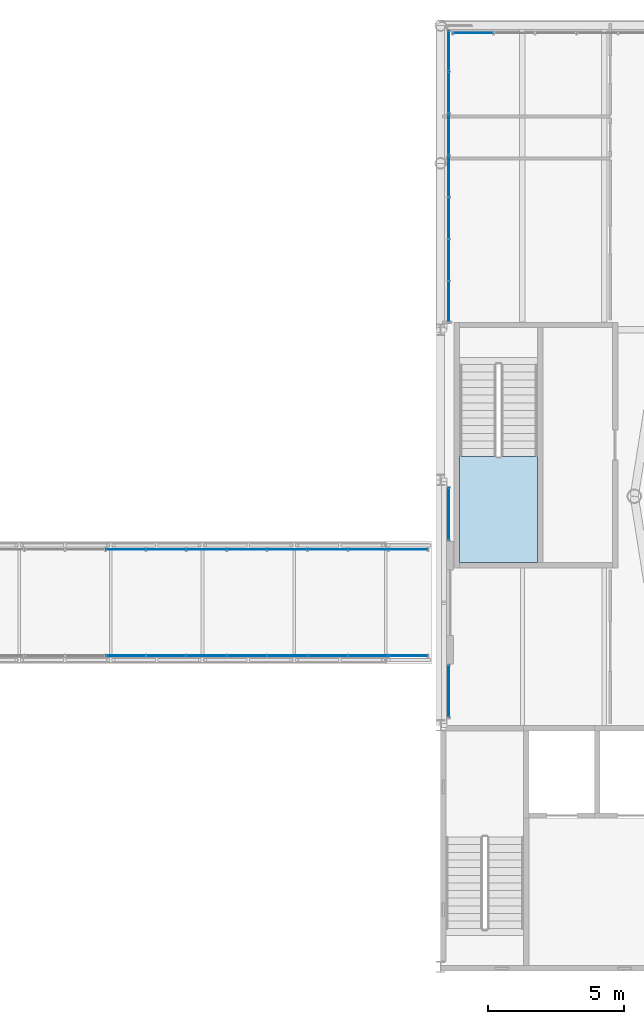
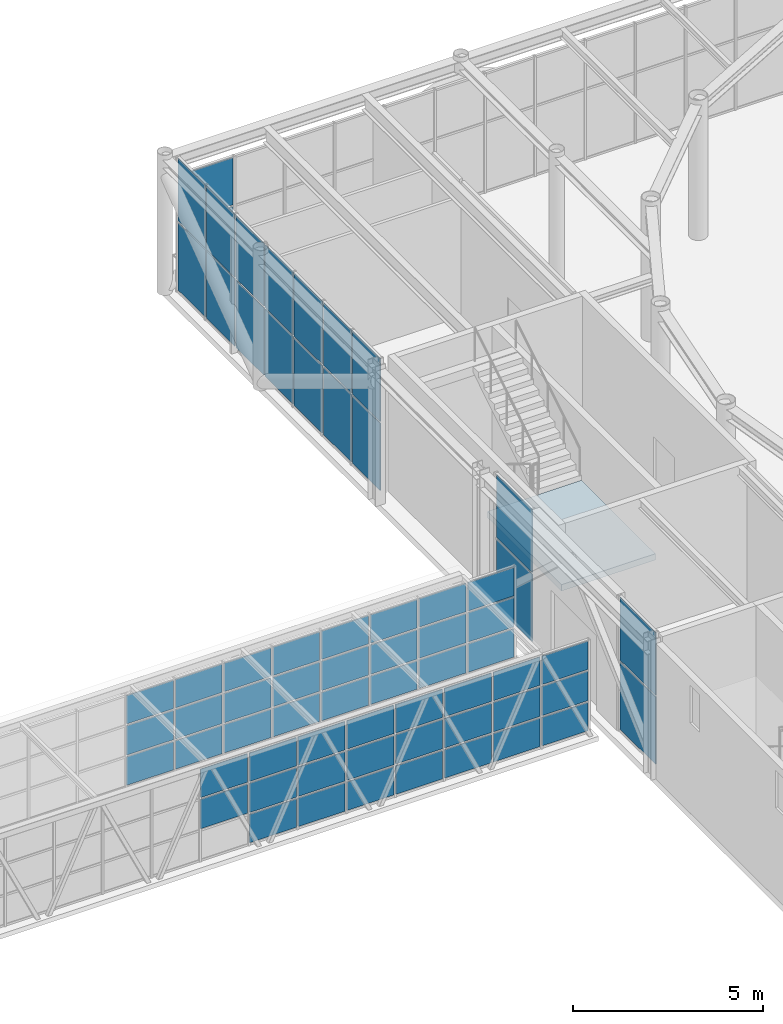
# One storey, part 80 of 149: 67 plates, 1 slab, 7 elements without a shape of their own.
"""IFC4 building model written with IfcOpenShell, lengths in metres."""

from ifc_helpers import new_model, si_unit, direction, frame, origin, origin_2d, place, context, subcontext, project, spatial, polyline, rectangle, outline, extrude, material, layer, layer_set, type_object, element, aggregate, save


model = new_model("IFC4")

# Units and contexts
model_context = context("Model", 3, precision=1e-05, world=origin(), true_north=direction((0.0, 1.0)))
body_context = subcontext(model_context, "Body", "Model", "MODEL_VIEW")
ifc_project = project(units=[si_unit("LENGTHUNIT", "METRE"), si_unit("AREAUNIT", "SQUARE_METRE"), si_unit("VOLUMEUNIT", "CUBIC_METRE"), si_unit("PLANEANGLEUNIT", "RADIAN"), si_unit("MASSUNIT", "GRAM", prefix="KILO")], contexts=[model_context])

# Site, building, storey
site_placement = place(None, origin())
site = spatial("IfcSite", under=ifc_project, at=site_placement, CompositionType="ELEMENT")
building_placement = place(site_placement, origin())
building = spatial("IfcBuilding", under=site, at=building_placement, Name="Kallimachos Central Library", CompositionType="ELEMENT")
storey_placement = place(building_placement, frame((0.0, 0.0, 9.89990234375)))
storey = spatial("IfcBuildingStorey", under=building, at=storey_placement, Name="L02", CompositionType="ELEMENT", Elevation=9.89990234375)

# Curtain wall, plates
ifc_material_1 = material(Name="Anodised aluminium and laminated glass", Category="aluminium")
ifc_layer_1 = layer(ifc_material_1, 0.159912109375)
ifc_layer_set_1 = layer_set([ifc_layer_1], Name="Glass box curtain wall")
curtain_wall_type_1 = type_object("IfcCurtainWallType", Name="Glass box curtain wall", PredefinedType="NOTDEFINED", material=ifc_layer_set_1)
curtain_wall_1_placement = place(storey_placement, origin())
curtain_wall_1 = element("IfcCurtainWall", 1, at=curtain_wall_1_placement, inside=storey, type_object=curtain_wall_type_1, Name="Glass box curtain wall W L02", PredefinedType="NOTDEFINED")
ifc_material_2 = material(Name="Laminated glass", Category="glass")
ifc_layer_2 = layer(ifc_material_2, 0.028076171875)
ifc_layer_set_2 = layer_set([ifc_layer_2], Name="Laminated glass panel 28")
plate_type = type_object("IfcPlateType", Name="Laminated glass panel 28", PredefinedType="CURTAIN_PANEL", material=ifc_layer_set_2)
plate_1_placement = place(storey_placement, frame((65.800048828125, 97.25, 0.06005859375), z_axis=(0.0, 0.0, 1.0), x_axis=(0.0, 1.0, 0.0)))
plate_1 = element("IfcPlate", 2, at=plate_1_placement, type_object=plate_type, Name="CW14 panel 1.1", PredefinedType="CURTAIN_PANEL", context=body_context, shape_type="SweptSolid", body=[
    extrude(rectangle(XDim=1.8798828125, YDim=0.028076171875, at=origin_2d()), origin(), (0.0, 0.0, 1.0), 2.159912109375),
])
plate_2_placement = place(storey_placement, frame((65.800048828125, 97.25, 2.2802734375), z_axis=(0.0, 0.0, 1.0), x_axis=(0.0, 1.0, 0.0)))
plate_2 = element("IfcPlate", 3, at=plate_2_placement, type_object=plate_type, Name="CW14 panel 1.2", PredefinedType="CURTAIN_PANEL", context=body_context, shape_type="SweptSolid", body=[
    extrude(rectangle(XDim=1.8798828125, YDim=0.028076171875, at=origin_2d()), origin(), (0.0, 0.0, 1.0), 2.010009765625),
])
aggregate(curtain_wall_1, [plate_1, plate_2])

curtain_wall_2_placement = place(storey_placement, origin())
curtain_wall_2 = element("IfcCurtainWall", 4, at=curtain_wall_2_placement, inside=storey, type_object=curtain_wall_type_1, Name="Glass box curtain wall W L02", PredefinedType="NOTDEFINED")
plate_3_placement = place(storey_placement, frame((65.800048828125, 103.75, 0.06005859375), z_axis=(0.0, 0.0, 1.0), x_axis=(0.0, 1.0, 0.0)))
plate_3 = element("IfcPlate", 5, at=plate_3_placement, type_object=plate_type, Name="CW15 panel 1.1", PredefinedType="CURTAIN_PANEL", context=body_context, shape_type="SweptSolid", body=[
    extrude(rectangle(XDim=1.8798828125, YDim=0.028076171875, at=origin_2d()), origin(), (0.0, 0.0, 1.0), 2.159912109375),
])
plate_4_placement = place(storey_placement, frame((65.800048828125, 103.75, 2.2802734375), z_axis=(0.0, 0.0, 1.0), x_axis=(0.0, 1.0, 0.0)))
plate_4 = element("IfcPlate", 6, at=plate_4_placement, type_object=plate_type, Name="CW15 panel 1.2", PredefinedType="CURTAIN_PANEL", context=body_context, shape_type="SweptSolid", body=[
    extrude(rectangle(XDim=1.8798828125, YDim=0.028076171875, at=origin_2d()), origin(), (0.0, 0.0, 1.0), 2.010009765625),
])
aggregate(curtain_wall_2, [plate_3, plate_4])

curtain_wall_3_placement = place(storey_placement, origin())
curtain_wall_3 = element("IfcCurtainWall", 7, at=curtain_wall_3_placement, inside=storey, type_object=curtain_wall_type_1, Name="Glass box curtain wall W L02", PredefinedType="NOTDEFINED")
plate_5_placement = place(storey_placement, frame((65.800048828125, 111.532958984375, 0.06005859375), z_axis=(0.0, 0.0, 1.0), x_axis=(0.0, 1.0, 0.0)))
plate_5 = element("IfcPlate", 8, at=plate_5_placement, type_object=plate_type, Name="CW16 panel 1.1", PredefinedType="CURTAIN_PANEL", context=body_context, shape_type="SweptSolid", body=[
    extrude(rectangle(XDim=1.44580078125, YDim=0.028076171875, at=origin_2d()), origin(), (0.0, 0.0, 1.0), 2.159912109375),
])
plate_6_placement = place(storey_placement, frame((65.800048828125, 111.532958984375, 2.2802734375), z_axis=(0.0, 0.0, 1.0), x_axis=(0.0, 1.0, 0.0)))
plate_6 = element("IfcPlate", 9, at=plate_6_placement, type_object=plate_type, Name="CW16 panel 1.2", PredefinedType="CURTAIN_PANEL", context=body_context, shape_type="SweptSolid", body=[
    extrude(rectangle(XDim=1.44580078125, YDim=0.028076171875, at=origin_2d()), origin(), (0.0, 0.0, 1.0), 2.010009765625),
])
plate_7_placement = place(storey_placement, frame((65.800048828125, 113.053466796875, 0.06005859375), z_axis=(0.0, 0.0, 1.0), x_axis=(0.0, 1.0, 0.0)))
plate_7 = element("IfcPlate", 10, at=plate_7_placement, type_object=plate_type, Name="CW16 panel 2.1", PredefinedType="CURTAIN_PANEL", context=body_context, shape_type="SweptSolid", body=[
    extrude(rectangle(XDim=1.475830078125, YDim=0.028076171875, at=origin_2d()), origin(), (0.0, 0.0, 1.0), 2.159912109375),
])
plate_8_placement = place(storey_placement, frame((65.800048828125, 113.053466796875, 2.2802734375), z_axis=(0.0, 0.0, 1.0), x_axis=(0.0, 1.0, 0.0)))
plate_8 = element("IfcPlate", 11, at=plate_8_placement, type_object=plate_type, Name="CW16 panel 2.2", PredefinedType="CURTAIN_PANEL", context=body_context, shape_type="SweptSolid", body=[
    extrude(rectangle(XDim=1.475830078125, YDim=0.028076171875, at=origin_2d()), origin(), (0.0, 0.0, 1.0), 2.010009765625),
])
plate_9_placement = place(storey_placement, frame((65.800048828125, 114.58935546875, 0.06005859375), z_axis=(0.0, 0.0, 1.0), x_axis=(0.0, 1.0, 0.0)))
plate_9 = element("IfcPlate", 12, at=plate_9_placement, type_object=plate_type, Name="CW16 panel 3.1", PredefinedType="CURTAIN_PANEL", context=body_context, shape_type="SweptSolid", body=[
    extrude(rectangle(XDim=1.475830078125, YDim=0.028076171875, at=origin_2d()), origin(), (0.0, 0.0, 1.0), 2.159912109375),
])
plate_10_placement = place(storey_placement, frame((65.800048828125, 114.58935546875, 2.2802734375), z_axis=(0.0, 0.0, 1.0), x_axis=(0.0, 1.0, 0.0)))
plate_10 = element("IfcPlate", 13, at=plate_10_placement, type_object=plate_type, Name="CW16 panel 3.2", PredefinedType="CURTAIN_PANEL", context=body_context, shape_type="SweptSolid", body=[
    extrude(rectangle(XDim=1.475830078125, YDim=0.028076171875, at=origin_2d()), origin(), (0.0, 0.0, 1.0), 2.010009765625),
])
plate_11_placement = place(storey_placement, frame((65.800048828125, 116.125, 0.06005859375), z_axis=(0.0, 0.0, 1.0), x_axis=(0.0, 1.0, 0.0)))
plate_11 = element("IfcPlate", 14, at=plate_11_placement, type_object=plate_type, Name="CW16 panel 4.1", PredefinedType="CURTAIN_PANEL", context=body_context, shape_type="SweptSolid", body=[
    extrude(rectangle(XDim=1.475830078125, YDim=0.028076171875, at=origin_2d()), origin(), (0.0, 0.0, 1.0), 2.159912109375),
])
plate_12_placement = place(storey_placement, frame((65.800048828125, 116.125, 2.2802734375), z_axis=(0.0, 0.0, 1.0), x_axis=(0.0, 1.0, 0.0)))
plate_12 = element("IfcPlate", 15, at=plate_12_placement, type_object=plate_type, Name="CW16 panel 4.2", PredefinedType="CURTAIN_PANEL", context=body_context, shape_type="SweptSolid", body=[
    extrude(rectangle(XDim=1.475830078125, YDim=0.028076171875, at=origin_2d()), origin(), (0.0, 0.0, 1.0), 2.010009765625),
])
plate_13_placement = place(storey_placement, frame((65.800048828125, 117.66064453125, 0.06005859375), z_axis=(0.0, 0.0, 1.0), x_axis=(0.0, 1.0, 0.0)))
plate_13 = element("IfcPlate", 16, at=plate_13_placement, type_object=plate_type, Name="CW16 panel 5.1", PredefinedType="CURTAIN_PANEL", context=body_context, shape_type="SweptSolid", body=[
    extrude(rectangle(XDim=1.475830078125, YDim=0.028076171875, at=origin_2d()), origin(), (0.0, 0.0, 1.0), 2.159912109375),
])
plate_14_placement = place(storey_placement, frame((65.800048828125, 117.66064453125, 2.2802734375), z_axis=(0.0, 0.0, 1.0), x_axis=(0.0, 1.0, 0.0)))
plate_14 = element("IfcPlate", 17, at=plate_14_placement, type_object=plate_type, Name="CW16 panel 5.2", PredefinedType="CURTAIN_PANEL", context=body_context, shape_type="SweptSolid", body=[
    extrude(rectangle(XDim=1.475830078125, YDim=0.028076171875, at=origin_2d()), origin(), (0.0, 0.0, 1.0), 2.010009765625),
])
plate_15_placement = place(storey_placement, frame((65.800048828125, 119.196533203125, 0.06005859375), z_axis=(0.0, 0.0, 1.0), x_axis=(0.0, 1.0, 0.0)))
plate_15 = element("IfcPlate", 18, at=plate_15_placement, type_object=plate_type, Name="CW16 panel 6.1", PredefinedType="CURTAIN_PANEL", context=body_context, shape_type="SweptSolid", body=[
    extrude(rectangle(XDim=1.475830078125, YDim=0.028076171875, at=origin_2d()), origin(), (0.0, 0.0, 1.0), 2.159912109375),
])
plate_16_placement = place(storey_placement, frame((65.800048828125, 119.196533203125, 2.2802734375), z_axis=(0.0, 0.0, 1.0), x_axis=(0.0, 1.0, 0.0)))
plate_16 = element("IfcPlate", 19, at=plate_16_placement, type_object=plate_type, Name="CW16 panel 6.2", PredefinedType="CURTAIN_PANEL", context=body_context, shape_type="SweptSolid", body=[
    extrude(rectangle(XDim=1.475830078125, YDim=0.028076171875, at=origin_2d()), origin(), (0.0, 0.0, 1.0), 2.010009765625),
])
plate_17_placement = place(storey_placement, frame((65.800048828125, 120.717041015625, 0.06005859375), z_axis=(0.0, 0.0, 1.0), x_axis=(0.0, 1.0, 0.0)))
plate_17 = element("IfcPlate", 20, at=plate_17_placement, type_object=plate_type, Name="CW16 panel 7.1", PredefinedType="CURTAIN_PANEL", context=body_context, shape_type="SweptSolid", body=[
    extrude(rectangle(XDim=1.44580078125, YDim=0.028076171875, at=origin_2d()), origin(), (0.0, 0.0, 1.0), 2.159912109375),
])
plate_18_placement = place(storey_placement, frame((65.800048828125, 120.717041015625, 2.2802734375), z_axis=(0.0, 0.0, 1.0), x_axis=(0.0, 1.0, 0.0)))
plate_18 = element("IfcPlate", 21, at=plate_18_placement, type_object=plate_type, Name="CW16 panel 7.2", PredefinedType="CURTAIN_PANEL", context=body_context, shape_type="SweptSolid", body=[
    extrude(rectangle(XDim=1.44580078125, YDim=0.028076171875, at=origin_2d()), origin(), (0.0, 0.0, 1.0), 2.010009765625),
])
aggregate(curtain_wall_3, [plate_5, plate_6, plate_7, plate_8, plate_9, plate_10, plate_11, plate_12, plate_13, plate_14, plate_15, plate_16, plate_17, plate_18])

curtain_wall_4_placement = place(storey_placement, origin())
curtain_wall_4 = element("IfcCurtainWall", 22, at=curtain_wall_4_placement, inside=storey, type_object=curtain_wall_type_1, Name="Glass box curtain wall N L02", PredefinedType="NOTDEFINED")
plate_19_placement = place(storey_placement, frame((66.6962890625, 121.3798828125, 0.06005859375), z_axis=(0.0, 0.0, 1.0), x_axis=(1.0, 0.0, 0.0)))
plate_19 = element("IfcPlate", 23, at=plate_19_placement, type_object=plate_type, Name="CW20 panel 1.1", PredefinedType="CURTAIN_PANEL", context=body_context, shape_type="SweptSolid", body=[
    extrude(rectangle(XDim=1.432861328125, YDim=0.028076171875, at=origin_2d()), origin(), (0.0, 0.0, 1.0), 2.159912109375),
])
plate_20_placement = place(storey_placement, frame((66.6962890625, 121.3798828125, 2.2802734375), z_axis=(0.0, 0.0, 1.0), x_axis=(1.0, 0.0, 0.0)))
plate_20 = element("IfcPlate", 24, at=plate_20_placement, type_object=plate_type, Name="CW20 panel 1.2", PredefinedType="CURTAIN_PANEL", context=body_context, shape_type="SweptSolid", body=[
    extrude(rectangle(XDim=1.432861328125, YDim=0.028076171875, at=origin_2d()), origin(), (0.0, 0.0, 1.0), 1.510009765625),
])
aggregate(curtain_wall_4, [plate_19, plate_20])

ifc_material_3 = material(Name="Aluminium and laminated glass", Category="aluminium")
curtain_wall_type_2 = type_object("IfcCurtainWallType", Name="Link glazed wall", PredefinedType="NOTDEFINED", material=ifc_material_3)
curtain_wall_5_placement = place(storey_placement, origin())
curtain_wall_5 = element("IfcCurtainWall", 25, at=curtain_wall_5_placement, inside=storey, type_object=curtain_wall_type_2, Name="V2 to V1 bridge glazed side", PredefinedType="NOTDEFINED")
plate_21_placement = place(storey_placement, frame((53.96044921875, 98.550048828125, 1.030029296875), z_axis=(0.0, 0.0, 1.0), x_axis=(1.0, 0.0, 0.0)))
plate_21 = element("IfcPlate", 26, at=plate_21_placement, type_object=plate_type, Name="CW72 panel 11.2", PredefinedType="CURTAIN_PANEL", context=body_context, shape_type="SweptSolid", body=[
    extrude(rectangle(XDim=1.421875, YDim=0.028076171875, at=origin_2d()), origin(), (0.0, 0.0, 1.0), 0.93994140625),
])
plate_22_placement = place(storey_placement, frame((53.96044921875, 98.550048828125, 2.0302734375), z_axis=(0.0, 0.0, 1.0), x_axis=(1.0, 0.0, 0.0)))
plate_22 = element("IfcPlate", 27, at=plate_22_placement, type_object=plate_type, Name="CW72 panel 11.3", PredefinedType="CURTAIN_PANEL", context=body_context, shape_type="SweptSolid", body=[
    extrude(rectangle(XDim=1.421875, YDim=0.028076171875, at=origin_2d()), origin(), (0.0, 0.0, 1.0), 0.909912109375),
])
plate_23_placement = place(storey_placement, frame((55.4423828125, 98.550048828125, 0.06005859375), z_axis=(0.0, 0.0, 1.0), x_axis=(1.0, 0.0, 0.0)))
plate_23 = element("IfcPlate", 28, at=plate_23_placement, type_object=plate_type, Name="CW72 panel 12.1", PredefinedType="CURTAIN_PANEL", context=body_context, shape_type="SweptSolid", body=[
    extrude(rectangle(XDim=1.421875, YDim=0.028076171875, at=origin_2d()), origin(), (0.0, 0.0, 1.0), 0.909912109375),
])
plate_24_placement = place(storey_placement, frame((55.4423828125, 98.550048828125, 1.030029296875), z_axis=(0.0, 0.0, 1.0), x_axis=(1.0, 0.0, 0.0)))
plate_24 = element("IfcPlate", 29, at=plate_24_placement, type_object=plate_type, Name="CW72 panel 12.2", PredefinedType="CURTAIN_PANEL", context=body_context, shape_type="SweptSolid", body=[
    extrude(rectangle(XDim=1.421875, YDim=0.028076171875, at=origin_2d()), origin(), (0.0, 0.0, 1.0), 0.93994140625),
])
plate_25_placement = place(storey_placement, frame((55.4423828125, 98.550048828125, 2.0302734375), z_axis=(0.0, 0.0, 1.0), x_axis=(1.0, 0.0, 0.0)))
plate_25 = element("IfcPlate", 30, at=plate_25_placement, type_object=plate_type, Name="CW72 panel 12.3", PredefinedType="CURTAIN_PANEL", context=body_context, shape_type="SweptSolid", body=[
    extrude(rectangle(XDim=1.421875, YDim=0.028076171875, at=origin_2d()), origin(), (0.0, 0.0, 1.0), 0.909912109375),
])
plate_26_placement = place(storey_placement, frame((56.92431640625, 98.550048828125, 0.06005859375), z_axis=(0.0, 0.0, 1.0), x_axis=(1.0, 0.0, 0.0)))
plate_26 = element("IfcPlate", 31, at=plate_26_placement, type_object=plate_type, Name="CW72 panel 13.1", PredefinedType="CURTAIN_PANEL", context=body_context, shape_type="SweptSolid", body=[
    extrude(rectangle(XDim=1.421875, YDim=0.028076171875, at=origin_2d()), origin(), (0.0, 0.0, 1.0), 0.909912109375),
])
plate_27_placement = place(storey_placement, frame((56.92431640625, 98.550048828125, 1.030029296875), z_axis=(0.0, 0.0, 1.0), x_axis=(1.0, 0.0, 0.0)))
plate_27 = element("IfcPlate", 32, at=plate_27_placement, type_object=plate_type, Name="CW72 panel 13.2", PredefinedType="CURTAIN_PANEL", context=body_context, shape_type="SweptSolid", body=[
    extrude(rectangle(XDim=1.421875, YDim=0.028076171875, at=origin_2d()), origin(), (0.0, 0.0, 1.0), 0.93994140625),
])
plate_28_placement = place(storey_placement, frame((56.92431640625, 98.550048828125, 2.0302734375), z_axis=(0.0, 0.0, 1.0), x_axis=(1.0, 0.0, 0.0)))
plate_28 = element("IfcPlate", 33, at=plate_28_placement, type_object=plate_type, Name="CW72 panel 13.3", PredefinedType="CURTAIN_PANEL", context=body_context, shape_type="SweptSolid", body=[
    extrude(rectangle(XDim=1.421875, YDim=0.028076171875, at=origin_2d()), origin(), (0.0, 0.0, 1.0), 0.909912109375),
])
plate_29_placement = place(storey_placement, frame((58.40625, 98.550048828125, 0.06005859375), z_axis=(0.0, 0.0, 1.0), x_axis=(1.0, 0.0, 0.0)))
plate_29 = element("IfcPlate", 34, at=plate_29_placement, type_object=plate_type, Name="CW72 panel 14.1", PredefinedType="CURTAIN_PANEL", context=body_context, shape_type="SweptSolid", body=[
    extrude(rectangle(XDim=1.421875, YDim=0.028076171875, at=origin_2d()), origin(), (0.0, 0.0, 1.0), 0.909912109375),
])
plate_30_placement = place(storey_placement, frame((58.40625, 98.550048828125, 1.030029296875), z_axis=(0.0, 0.0, 1.0), x_axis=(1.0, 0.0, 0.0)))
plate_30 = element("IfcPlate", 35, at=plate_30_placement, type_object=plate_type, Name="CW72 panel 14.2", PredefinedType="CURTAIN_PANEL", context=body_context, shape_type="SweptSolid", body=[
    extrude(rectangle(XDim=1.421875, YDim=0.028076171875, at=origin_2d()), origin(), (0.0, 0.0, 1.0), 0.93994140625),
])
plate_31_placement = place(storey_placement, frame((58.40625, 98.550048828125, 2.0302734375), z_axis=(0.0, 0.0, 1.0), x_axis=(1.0, 0.0, 0.0)))
plate_31 = element("IfcPlate", 36, at=plate_31_placement, type_object=plate_type, Name="CW72 panel 14.3", PredefinedType="CURTAIN_PANEL", context=body_context, shape_type="SweptSolid", body=[
    extrude(rectangle(XDim=1.421875, YDim=0.028076171875, at=origin_2d()), origin(), (0.0, 0.0, 1.0), 0.909912109375),
])
plate_32_placement = place(storey_placement, frame((59.88818359375, 98.550048828125, 0.06005859375), z_axis=(0.0, 0.0, 1.0), x_axis=(1.0, 0.0, 0.0)))
plate_32 = element("IfcPlate", 37, at=plate_32_placement, type_object=plate_type, Name="CW72 panel 15.1", PredefinedType="CURTAIN_PANEL", context=body_context, shape_type="SweptSolid", body=[
    extrude(rectangle(XDim=1.421875, YDim=0.028076171875, at=origin_2d()), origin(), (0.0, 0.0, 1.0), 0.909912109375),
])
plate_33_placement = place(storey_placement, frame((59.88818359375, 98.550048828125, 1.030029296875), z_axis=(0.0, 0.0, 1.0), x_axis=(1.0, 0.0, 0.0)))
plate_33 = element("IfcPlate", 38, at=plate_33_placement, type_object=plate_type, Name="CW72 panel 15.2", PredefinedType="CURTAIN_PANEL", context=body_context, shape_type="SweptSolid", body=[
    extrude(rectangle(XDim=1.421875, YDim=0.028076171875, at=origin_2d()), origin(), (0.0, 0.0, 1.0), 0.93994140625),
])
plate_34_placement = place(storey_placement, frame((59.88818359375, 98.550048828125, 2.0302734375), z_axis=(0.0, 0.0, 1.0), x_axis=(1.0, 0.0, 0.0)))
plate_34 = element("IfcPlate", 39, at=plate_34_placement, type_object=plate_type, Name="CW72 panel 15.3", PredefinedType="CURTAIN_PANEL", context=body_context, shape_type="SweptSolid", body=[
    extrude(rectangle(XDim=1.421875, YDim=0.028076171875, at=origin_2d()), origin(), (0.0, 0.0, 1.0), 0.909912109375),
])
plate_35_placement = place(storey_placement, frame((61.3701171875, 98.550048828125, 0.06005859375), z_axis=(0.0, 0.0, 1.0), x_axis=(1.0, 0.0, 0.0)))
plate_35 = element("IfcPlate", 40, at=plate_35_placement, type_object=plate_type, Name="CW72 panel 16.1", PredefinedType="CURTAIN_PANEL", context=body_context, shape_type="SweptSolid", body=[
    extrude(rectangle(XDim=1.421875, YDim=0.028076171875, at=origin_2d()), origin(), (0.0, 0.0, 1.0), 0.909912109375),
])
plate_36_placement = place(storey_placement, frame((61.3701171875, 98.550048828125, 1.030029296875), z_axis=(0.0, 0.0, 1.0), x_axis=(1.0, 0.0, 0.0)))
plate_36 = element("IfcPlate", 41, at=plate_36_placement, type_object=plate_type, Name="CW72 panel 16.2", PredefinedType="CURTAIN_PANEL", context=body_context, shape_type="SweptSolid", body=[
    extrude(rectangle(XDim=1.421875, YDim=0.028076171875, at=origin_2d()), origin(), (0.0, 0.0, 1.0), 0.93994140625),
])
plate_37_placement = place(storey_placement, frame((61.3701171875, 98.550048828125, 2.0302734375), z_axis=(0.0, 0.0, 1.0), x_axis=(1.0, 0.0, 0.0)))
plate_37 = element("IfcPlate", 42, at=plate_37_placement, type_object=plate_type, Name="CW72 panel 16.3", PredefinedType="CURTAIN_PANEL", context=body_context, shape_type="SweptSolid", body=[
    extrude(rectangle(XDim=1.421875, YDim=0.028076171875, at=origin_2d()), origin(), (0.0, 0.0, 1.0), 0.909912109375),
])
plate_38_placement = place(storey_placement, frame((62.85205078125, 98.550048828125, 0.06005859375), z_axis=(0.0, 0.0, 1.0), x_axis=(1.0, 0.0, 0.0)))
plate_38 = element("IfcPlate", 43, at=plate_38_placement, type_object=plate_type, Name="CW72 panel 17.1", PredefinedType="CURTAIN_PANEL", context=body_context, shape_type="SweptSolid", body=[
    extrude(rectangle(XDim=1.421875, YDim=0.028076171875, at=origin_2d()), origin(), (0.0, 0.0, 1.0), 0.909912109375),
])
plate_39_placement = place(storey_placement, frame((62.85205078125, 98.550048828125, 1.030029296875), z_axis=(0.0, 0.0, 1.0), x_axis=(1.0, 0.0, 0.0)))
plate_39 = element("IfcPlate", 44, at=plate_39_placement, type_object=plate_type, Name="CW72 panel 17.2", PredefinedType="CURTAIN_PANEL", context=body_context, shape_type="SweptSolid", body=[
    extrude(rectangle(XDim=1.421875, YDim=0.028076171875, at=origin_2d()), origin(), (0.0, 0.0, 1.0), 0.93994140625),
])
plate_40_placement = place(storey_placement, frame((62.85205078125, 98.550048828125, 2.0302734375), z_axis=(0.0, 0.0, 1.0), x_axis=(1.0, 0.0, 0.0)))
plate_40 = element("IfcPlate", 45, at=plate_40_placement, type_object=plate_type, Name="CW72 panel 17.3", PredefinedType="CURTAIN_PANEL", context=body_context, shape_type="SweptSolid", body=[
    extrude(rectangle(XDim=1.421875, YDim=0.028076171875, at=origin_2d()), origin(), (0.0, 0.0, 1.0), 0.909912109375),
])
plate_41_placement = place(storey_placement, frame((64.319091796875, 98.550048828125, 0.06005859375), z_axis=(0.0, 0.0, 1.0), x_axis=(1.0, 0.0, 0.0)))
plate_41 = element("IfcPlate", 46, at=plate_41_placement, type_object=plate_type, Name="CW72 panel 18.1", PredefinedType="CURTAIN_PANEL", context=body_context, shape_type="SweptSolid", body=[
    extrude(rectangle(XDim=1.391845703125, YDim=0.028076171875, at=origin_2d()), origin(), (0.0, 0.0, 1.0), 0.909912109375),
])
plate_42_placement = place(storey_placement, frame((64.319091796875, 98.550048828125, 1.030029296875), z_axis=(0.0, 0.0, 1.0), x_axis=(1.0, 0.0, 0.0)))
plate_42 = element("IfcPlate", 47, at=plate_42_placement, type_object=plate_type, Name="CW72 panel 18.2", PredefinedType="CURTAIN_PANEL", context=body_context, shape_type="SweptSolid", body=[
    extrude(rectangle(XDim=1.391845703125, YDim=0.028076171875, at=origin_2d()), origin(), (0.0, 0.0, 1.0), 0.93994140625),
])
plate_43_placement = place(storey_placement, frame((64.319091796875, 98.550048828125, 2.0302734375), z_axis=(0.0, 0.0, 1.0), x_axis=(1.0, 0.0, 0.0)))
plate_43 = element("IfcPlate", 48, at=plate_43_placement, type_object=plate_type, Name="CW72 panel 18.3", PredefinedType="CURTAIN_PANEL", context=body_context, shape_type="SweptSolid", body=[
    extrude(rectangle(XDim=1.391845703125, YDim=0.028076171875, at=origin_2d()), origin(), (0.0, 0.0, 1.0), 0.909912109375),
])
aggregate(curtain_wall_5, [plate_21, plate_22, plate_23, plate_24, plate_25, plate_26, plate_27, plate_28, plate_29, plate_30, plate_31, plate_32, plate_33, plate_34, plate_35, plate_36, plate_37, plate_38, plate_39, plate_40, plate_41, plate_42, plate_43])

curtain_wall_6_placement = place(storey_placement, origin())
curtain_wall_6 = element("IfcCurtainWall", 49, at=curtain_wall_6_placement, inside=storey, type_object=curtain_wall_type_2, Name="V2 to V1 bridge glazed side", PredefinedType="NOTDEFINED")
plate_44_placement = place(storey_placement, frame((53.96044921875, 102.449951171875, 0.06005859375), z_axis=(0.0, 0.0, 1.0), x_axis=(1.0, 0.0, 0.0)))
plate_44 = element("IfcPlate", 50, at=plate_44_placement, type_object=plate_type, Name="CW73 panel 11.1", PredefinedType="CURTAIN_PANEL", context=body_context, shape_type="SweptSolid", body=[
    extrude(rectangle(XDim=1.421875, YDim=0.028076171875, at=origin_2d()), origin(), (0.0, 0.0, 1.0), 0.909912109375),
])
plate_45_placement = place(storey_placement, frame((53.96044921875, 102.449951171875, 1.030029296875), z_axis=(0.0, 0.0, 1.0), x_axis=(1.0, 0.0, 0.0)))
plate_45 = element("IfcPlate", 51, at=plate_45_placement, type_object=plate_type, Name="CW73 panel 11.2", PredefinedType="CURTAIN_PANEL", context=body_context, shape_type="SweptSolid", body=[
    extrude(rectangle(XDim=1.421875, YDim=0.028076171875, at=origin_2d()), origin(), (0.0, 0.0, 1.0), 0.93994140625),
])
plate_46_placement = place(storey_placement, frame((53.96044921875, 102.449951171875, 2.0302734375), z_axis=(0.0, 0.0, 1.0), x_axis=(1.0, 0.0, 0.0)))
plate_46 = element("IfcPlate", 52, at=plate_46_placement, type_object=plate_type, Name="CW73 panel 11.3", PredefinedType="CURTAIN_PANEL", context=body_context, shape_type="SweptSolid", body=[
    extrude(rectangle(XDim=1.421875, YDim=0.028076171875, at=origin_2d()), origin(), (0.0, 0.0, 1.0), 0.909912109375),
])
plate_47_placement = place(storey_placement, frame((55.4423828125, 102.449951171875, 0.06005859375), z_axis=(0.0, 0.0, 1.0), x_axis=(1.0, 0.0, 0.0)))
plate_47 = element("IfcPlate", 53, at=plate_47_placement, type_object=plate_type, Name="CW73 panel 12.1", PredefinedType="CURTAIN_PANEL", context=body_context, shape_type="SweptSolid", body=[
    extrude(rectangle(XDim=1.421875, YDim=0.028076171875, at=origin_2d()), origin(), (0.0, 0.0, 1.0), 0.909912109375),
])
plate_48_placement = place(storey_placement, frame((55.4423828125, 102.449951171875, 1.030029296875), z_axis=(0.0, 0.0, 1.0), x_axis=(1.0, 0.0, 0.0)))
plate_48 = element("IfcPlate", 54, at=plate_48_placement, type_object=plate_type, Name="CW73 panel 12.2", PredefinedType="CURTAIN_PANEL", context=body_context, shape_type="SweptSolid", body=[
    extrude(rectangle(XDim=1.421875, YDim=0.028076171875, at=origin_2d()), origin(), (0.0, 0.0, 1.0), 0.93994140625),
])
plate_49_placement = place(storey_placement, frame((55.4423828125, 102.449951171875, 2.0302734375), z_axis=(0.0, 0.0, 1.0), x_axis=(1.0, 0.0, 0.0)))
plate_49 = element("IfcPlate", 55, at=plate_49_placement, type_object=plate_type, Name="CW73 panel 12.3", PredefinedType="CURTAIN_PANEL", context=body_context, shape_type="SweptSolid", body=[
    extrude(rectangle(XDim=1.421875, YDim=0.028076171875, at=origin_2d()), origin(), (0.0, 0.0, 1.0), 0.909912109375),
])
plate_50_placement = place(storey_placement, frame((56.92431640625, 102.449951171875, 0.06005859375), z_axis=(0.0, 0.0, 1.0), x_axis=(1.0, 0.0, 0.0)))
plate_50 = element("IfcPlate", 56, at=plate_50_placement, type_object=plate_type, Name="CW73 panel 13.1", PredefinedType="CURTAIN_PANEL", context=body_context, shape_type="SweptSolid", body=[
    extrude(rectangle(XDim=1.421875, YDim=0.028076171875, at=origin_2d()), origin(), (0.0, 0.0, 1.0), 0.909912109375),
])
plate_51_placement = place(storey_placement, frame((56.92431640625, 102.449951171875, 1.030029296875), z_axis=(0.0, 0.0, 1.0), x_axis=(1.0, 0.0, 0.0)))
plate_51 = element("IfcPlate", 57, at=plate_51_placement, type_object=plate_type, Name="CW73 panel 13.2", PredefinedType="CURTAIN_PANEL", context=body_context, shape_type="SweptSolid", body=[
    extrude(rectangle(XDim=1.421875, YDim=0.028076171875, at=origin_2d()), origin(), (0.0, 0.0, 1.0), 0.93994140625),
])
plate_52_placement = place(storey_placement, frame((56.92431640625, 102.449951171875, 2.0302734375), z_axis=(0.0, 0.0, 1.0), x_axis=(1.0, 0.0, 0.0)))
plate_52 = element("IfcPlate", 58, at=plate_52_placement, type_object=plate_type, Name="CW73 panel 13.3", PredefinedType="CURTAIN_PANEL", context=body_context, shape_type="SweptSolid", body=[
    extrude(rectangle(XDim=1.421875, YDim=0.028076171875, at=origin_2d()), origin(), (0.0, 0.0, 1.0), 0.909912109375),
])
plate_53_placement = place(storey_placement, frame((58.40625, 102.449951171875, 0.06005859375), z_axis=(0.0, 0.0, 1.0), x_axis=(1.0, 0.0, 0.0)))
plate_53 = element("IfcPlate", 59, at=plate_53_placement, type_object=plate_type, Name="CW73 panel 14.1", PredefinedType="CURTAIN_PANEL", context=body_context, shape_type="SweptSolid", body=[
    extrude(rectangle(XDim=1.421875, YDim=0.028076171875, at=origin_2d()), origin(), (0.0, 0.0, 1.0), 0.909912109375),
])
plate_54_placement = place(storey_placement, frame((58.40625, 102.449951171875, 1.030029296875), z_axis=(0.0, 0.0, 1.0), x_axis=(1.0, 0.0, 0.0)))
plate_54 = element("IfcPlate", 60, at=plate_54_placement, type_object=plate_type, Name="CW73 panel 14.2", PredefinedType="CURTAIN_PANEL", context=body_context, shape_type="SweptSolid", body=[
    extrude(rectangle(XDim=1.421875, YDim=0.028076171875, at=origin_2d()), origin(), (0.0, 0.0, 1.0), 0.93994140625),
])
plate_55_placement = place(storey_placement, frame((58.40625, 102.449951171875, 2.0302734375), z_axis=(0.0, 0.0, 1.0), x_axis=(1.0, 0.0, 0.0)))
plate_55 = element("IfcPlate", 61, at=plate_55_placement, type_object=plate_type, Name="CW73 panel 14.3", PredefinedType="CURTAIN_PANEL", context=body_context, shape_type="SweptSolid", body=[
    extrude(rectangle(XDim=1.421875, YDim=0.028076171875, at=origin_2d()), origin(), (0.0, 0.0, 1.0), 0.909912109375),
])
plate_56_placement = place(storey_placement, frame((59.88818359375, 102.449951171875, 0.06005859375), z_axis=(0.0, 0.0, 1.0), x_axis=(1.0, 0.0, 0.0)))
plate_56 = element("IfcPlate", 62, at=plate_56_placement, type_object=plate_type, Name="CW73 panel 15.1", PredefinedType="CURTAIN_PANEL", context=body_context, shape_type="SweptSolid", body=[
    extrude(rectangle(XDim=1.421875, YDim=0.028076171875, at=origin_2d()), origin(), (0.0, 0.0, 1.0), 0.909912109375),
])
plate_57_placement = place(storey_placement, frame((59.88818359375, 102.449951171875, 1.030029296875), z_axis=(0.0, 0.0, 1.0), x_axis=(1.0, 0.0, 0.0)))
plate_57 = element("IfcPlate", 63, at=plate_57_placement, type_object=plate_type, Name="CW73 panel 15.2", PredefinedType="CURTAIN_PANEL", context=body_context, shape_type="SweptSolid", body=[
    extrude(rectangle(XDim=1.421875, YDim=0.028076171875, at=origin_2d()), origin(), (0.0, 0.0, 1.0), 0.93994140625),
])
plate_58_placement = place(storey_placement, frame((59.88818359375, 102.449951171875, 2.0302734375), z_axis=(0.0, 0.0, 1.0), x_axis=(1.0, 0.0, 0.0)))
plate_58 = element("IfcPlate", 64, at=plate_58_placement, type_object=plate_type, Name="CW73 panel 15.3", PredefinedType="CURTAIN_PANEL", context=body_context, shape_type="SweptSolid", body=[
    extrude(rectangle(XDim=1.421875, YDim=0.028076171875, at=origin_2d()), origin(), (0.0, 0.0, 1.0), 0.909912109375),
])
plate_59_placement = place(storey_placement, frame((61.3701171875, 102.449951171875, 0.06005859375), z_axis=(0.0, 0.0, 1.0), x_axis=(1.0, 0.0, 0.0)))
plate_59 = element("IfcPlate", 65, at=plate_59_placement, type_object=plate_type, Name="CW73 panel 16.1", PredefinedType="CURTAIN_PANEL", context=body_context, shape_type="SweptSolid", body=[
    extrude(rectangle(XDim=1.421875, YDim=0.028076171875, at=origin_2d()), origin(), (0.0, 0.0, 1.0), 0.909912109375),
])
plate_60_placement = place(storey_placement, frame((61.3701171875, 102.449951171875, 1.030029296875), z_axis=(0.0, 0.0, 1.0), x_axis=(1.0, 0.0, 0.0)))
plate_60 = element("IfcPlate", 66, at=plate_60_placement, type_object=plate_type, Name="CW73 panel 16.2", PredefinedType="CURTAIN_PANEL", context=body_context, shape_type="SweptSolid", body=[
    extrude(rectangle(XDim=1.421875, YDim=0.028076171875, at=origin_2d()), origin(), (0.0, 0.0, 1.0), 0.93994140625),
])
plate_61_placement = place(storey_placement, frame((61.3701171875, 102.449951171875, 2.0302734375), z_axis=(0.0, 0.0, 1.0), x_axis=(1.0, 0.0, 0.0)))
plate_61 = element("IfcPlate", 67, at=plate_61_placement, type_object=plate_type, Name="CW73 panel 16.3", PredefinedType="CURTAIN_PANEL", context=body_context, shape_type="SweptSolid", body=[
    extrude(rectangle(XDim=1.421875, YDim=0.028076171875, at=origin_2d()), origin(), (0.0, 0.0, 1.0), 0.909912109375),
])
plate_62_placement = place(storey_placement, frame((62.85205078125, 102.449951171875, 0.06005859375), z_axis=(0.0, 0.0, 1.0), x_axis=(1.0, 0.0, 0.0)))
plate_62 = element("IfcPlate", 68, at=plate_62_placement, type_object=plate_type, Name="CW73 panel 17.1", PredefinedType="CURTAIN_PANEL", context=body_context, shape_type="SweptSolid", body=[
    extrude(rectangle(XDim=1.421875, YDim=0.028076171875, at=origin_2d()), origin(), (0.0, 0.0, 1.0), 0.909912109375),
])
plate_63_placement = place(storey_placement, frame((62.85205078125, 102.449951171875, 1.030029296875), z_axis=(0.0, 0.0, 1.0), x_axis=(1.0, 0.0, 0.0)))
plate_63 = element("IfcPlate", 69, at=plate_63_placement, type_object=plate_type, Name="CW73 panel 17.2", PredefinedType="CURTAIN_PANEL", context=body_context, shape_type="SweptSolid", body=[
    extrude(rectangle(XDim=1.421875, YDim=0.028076171875, at=origin_2d()), origin(), (0.0, 0.0, 1.0), 0.93994140625),
])
plate_64_placement = place(storey_placement, frame((62.85205078125, 102.449951171875, 2.0302734375), z_axis=(0.0, 0.0, 1.0), x_axis=(1.0, 0.0, 0.0)))
plate_64 = element("IfcPlate", 70, at=plate_64_placement, type_object=plate_type, Name="CW73 panel 17.3", PredefinedType="CURTAIN_PANEL", context=body_context, shape_type="SweptSolid", body=[
    extrude(rectangle(XDim=1.421875, YDim=0.028076171875, at=origin_2d()), origin(), (0.0, 0.0, 1.0), 0.909912109375),
])
plate_65_placement = place(storey_placement, frame((64.319091796875, 102.449951171875, 0.06005859375), z_axis=(0.0, 0.0, 1.0), x_axis=(1.0, 0.0, 0.0)))
plate_65 = element("IfcPlate", 71, at=plate_65_placement, type_object=plate_type, Name="CW73 panel 18.1", PredefinedType="CURTAIN_PANEL", context=body_context, shape_type="SweptSolid", body=[
    extrude(rectangle(XDim=1.391845703125, YDim=0.028076171875, at=origin_2d()), origin(), (0.0, 0.0, 1.0), 0.909912109375),
])
plate_66_placement = place(storey_placement, frame((64.319091796875, 102.449951171875, 1.030029296875), z_axis=(0.0, 0.0, 1.0), x_axis=(1.0, 0.0, 0.0)))
plate_66 = element("IfcPlate", 72, at=plate_66_placement, type_object=plate_type, Name="CW73 panel 18.2", PredefinedType="CURTAIN_PANEL", context=body_context, shape_type="SweptSolid", body=[
    extrude(rectangle(XDim=1.391845703125, YDim=0.028076171875, at=origin_2d()), origin(), (0.0, 0.0, 1.0), 0.93994140625),
])
plate_67_placement = place(storey_placement, frame((64.319091796875, 102.449951171875, 2.0302734375), z_axis=(0.0, 0.0, 1.0), x_axis=(1.0, 0.0, 0.0)))
plate_67 = element("IfcPlate", 73, at=plate_67_placement, type_object=plate_type, Name="CW73 panel 18.3", PredefinedType="CURTAIN_PANEL", context=body_context, shape_type="SweptSolid", body=[
    extrude(rectangle(XDim=1.391845703125, YDim=0.028076171875, at=origin_2d()), origin(), (0.0, 0.0, 1.0), 0.909912109375),
])
aggregate(curtain_wall_6, [plate_44, plate_45, plate_46, plate_47, plate_48, plate_49, plate_50, plate_51, plate_52, plate_53, plate_54, plate_55, plate_56, plate_57, plate_58, plate_59, plate_60, plate_61, plate_62, plate_63, plate_64, plate_65, plate_66, plate_67])

# Stair, slab
ifc_material_4 = material(Name="Steel S355J2", Category="steel")
stair_type = type_object("IfcStairType", Name="Steel half-turn stair 1350", PredefinedType="HALF_TURN_STAIR", material=ifc_material_4)
stair_placement = place(storey_placement, origin())
stair = element("IfcStair", 74, at=stair_placement, inside=storey, type_object=stair_type, Name="L02 stair ST3", PredefinedType="HALF_TURN_STAIR")
ifc_material_5 = material(Name="Concrete C30/37", Category="concrete")
ifc_layer_3 = layer(ifc_material_5, 0.199951171875)
ifc_layer_set_3 = layer_set([ifc_layer_3], Name="Stair landing slab 200")
slab_type = type_object("IfcSlabType", Name="Stair landing slab 200", PredefinedType="LANDING", material=ifc_layer_set_3)
slab_placement = place(storey_placement, frame((0.0, 0.0, 2.050048828125)))
slab = element("IfcSlab", 75, at=slab_placement, type_object=slab_type, Name="ST3 landing 1", PredefinedType="LANDING", context=body_context, shape_type="SweptSolid", body=[
    extrude(outline(polyline([(66.199951171875, 105.864990234375), (66.199951171875, 101.97509765625), (69.050048828125, 101.97509765625), (69.050048828125, 105.864990234375), (66.199951171875, 105.864990234375)])), origin(), (0.0, 0.0, 1.0), 0.199951171875),
])
aggregate(stair, [slab])

save(model, "model.ifc")
